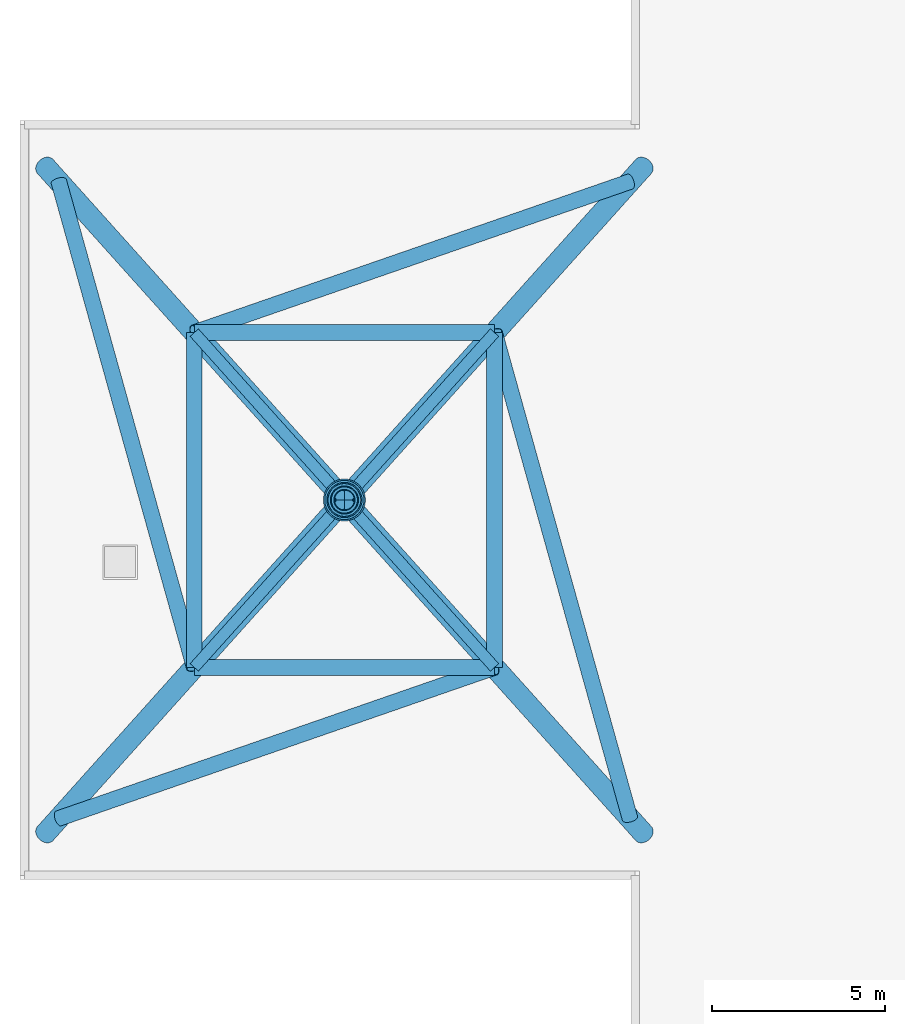
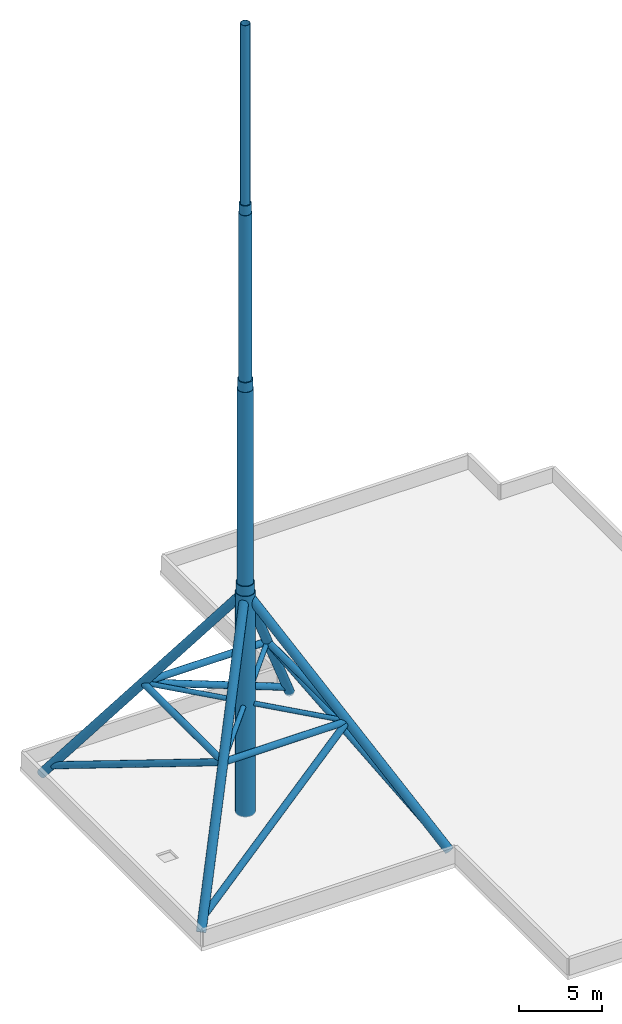
# One storey, part 1 of 3: 23 members.
"""IFC4 building model written with IfcOpenShell, lengths in metres."""

from ifc_helpers import new_model, si_unit, direction, frame, origin, origin_2d, place, context, subcontext, project, spatial, hollow_circle, extrude, material, material_profile, profile_set, type_object, element, save


model = new_model("IFC4")

# Units and contexts
model_context = context("Model", 3, precision=1e-05, world=origin(), true_north=direction((0.0, 1.0)))
body_context = subcontext(model_context, "Body", "Model", "MODEL_VIEW")
ifc_project = project(units=[si_unit("LENGTHUNIT", "METRE"), si_unit("AREAUNIT", "SQUARE_METRE"), si_unit("VOLUMEUNIT", "CUBIC_METRE"), si_unit("PLANEANGLEUNIT", "RADIAN"), si_unit("MASSUNIT", "GRAM", prefix="KILO")], contexts=[model_context])

# Site, building, storey
site_placement = place(None, origin())
site = spatial("IfcSite", under=ifc_project, at=site_placement, CompositionType="ELEMENT")
building_placement = place(site_placement, origin())
building = spatial("IfcBuilding", under=site, at=building_placement, Name="Cleftline Residences", CompositionType="ELEMENT")
storey_placement = place(building_placement, frame((0.0, 0.0, 301.60009765625)))
storey = spatial("IfcBuildingStorey", under=building, at=storey_placement, Name="ROOF", CompositionType="ELEMENT", Elevation=301.60009765625)

# Members
ifc_material_1 = material(Name="Steel S355", Category="steel")
ifc_material_profile_1 = material_profile(ifc_material_1, hollow_circle(Radius=0.228515625, WallThickness=0.01611328125, at=origin_2d()))
ifc_profile_set_1 = profile_set([ifc_material_profile_1], Name="Steel S355")
member_type_1 = type_object("IfcMemberType", Name="SPIRE BRACE CHS 457.0X16.0", PredefinedType="USERDEFINED", material=ifc_profile_set_1)
member_1_placement = place(storey_placement, frame((24.724365234375, 14.773193359375, 0.7998046875), z_axis=(0.826559657746, 0.286526829439, 0.484460017131), x_axis=(-0.327529080066, 0.944841098657, 0.0)))
element("IfcMember", 1, at=member_1_placement, inside=storey, type_object=member_type_1, Name="Spire bracing", ObjectType="SPIRE", PredefinedType="USERDEFINED", context=body_context, shape_type="SweptSolid", body=[
    extrude(hollow_circle(Radius=0.228515625, WallThickness=0.01611328125, at=origin_2d()), origin(), (0.0, 0.0, 1.0), 15.275146484375),
])
member_2_placement = place(storey_placement, frame((41.275634765625, 14.773193359375, 0.7998046875), z_axis=(-0.239642292235, 0.859352878162, 0.451756795816), x_axis=(-0.96324768403, -0.268614778465, 0.0)))
element("IfcMember", 2, at=member_2_placement, inside=storey, type_object=member_type_1, Name="Spire bracing", ObjectType="SPIRE", PredefinedType="USERDEFINED", context=body_context, shape_type="SweptSolid", body=[
    extrude(hollow_circle(Radius=0.228515625, WallThickness=0.01611328125, at=origin_2d()), origin(), (0.0, 0.0, 1.0), 16.380859375),
])
member_3_placement = place(storey_placement, frame((41.275634765625, 33.226806640625, 0.7998046875), z_axis=(-0.826559657746, -0.286526829439, 0.484460017131), x_axis=(0.327529080066, -0.944841098657, 0.0)))
element("IfcMember", 3, at=member_3_placement, inside=storey, type_object=member_type_1, Name="Spire bracing", ObjectType="SPIRE", PredefinedType="USERDEFINED", context=body_context, shape_type="SweptSolid", body=[
    extrude(hollow_circle(Radius=0.228515625, WallThickness=0.01611328125, at=origin_2d()), origin(), (0.0, 0.0, 1.0), 15.275146484375),
])
member_4_placement = place(storey_placement, frame((24.724365234375, 33.226806640625, 0.7998046875), z_axis=(0.239642292235, -0.859352878162, 0.451756795816), x_axis=(0.96324768403, 0.268614778465, 0.0)))
element("IfcMember", 4, at=member_4_placement, inside=storey, type_object=member_type_1, Name="Spire bracing", ObjectType="SPIRE", PredefinedType="USERDEFINED", context=body_context, shape_type="SweptSolid", body=[
    extrude(hollow_circle(Radius=0.228515625, WallThickness=0.01611328125, at=origin_2d()), origin(), (0.0, 0.0, 1.0), 16.380859375),
])
ifc_material_2 = material(Name="Steel S355", Category="steel")
ifc_material_profile_2 = material_profile(ifc_material_2, hollow_circle(Radius=0.304931640625, WallThickness=0.02001953125, at=origin_2d()))
ifc_profile_set_2 = profile_set([ifc_material_profile_2], Name="Steel S355")
member_type_2 = type_object("IfcMemberType", Name="SPIRE LEG CHS 610.0X20.0", PredefinedType="USERDEFINED", material=ifc_profile_set_2)
for number, where, z_axis, x_axis, name in (
    (5, (24.331787109375, 14.33544921875, 0.059814453125), (0.415351306725, 0.463092432841, 0.782961487334), (-0.744437601136, 0.667692038305, 0.0), "Spire leg"),
    (6, (41.668212890625, 14.33544921875, 0.059814453125), (-0.415351306725, 0.463092432841, 0.782961487334), (-0.744437601136, -0.667692038305, 0.0), "Spire leg"),
    (7, (24.331787109375, 33.66455078125, 0.059814453125), (0.415351306725, -0.463092432841, 0.782961487334), (0.744437601136, 0.667692038305, 0.0), "Spire leg"),
    (8, (41.668212890625, 33.66455078125, 0.059814453125), (-0.415351306725, -0.463092432841, 0.782961487334), (0.744437601136, -0.667692038305, 0.0), "Spire leg"),
):
    element("IfcMember", number, at=place(storey_placement, frame(where, z_axis=z_axis, x_axis=x_axis)), inside=storey, type_object=member_type_2, Name=name, ObjectType="SPIRE", PredefinedType="USERDEFINED", context=body_context, shape_type="SweptSolid", body=[
        extrude(hollow_circle(Radius=0.304931640625, WallThickness=0.02001953125, at=origin_2d()), origin(), (0.0, 0.0, 1.0), 20.86962890625),
    ])
ifc_material_3 = material(Name="Steel S355", Category="steel")
ifc_material_profile_3 = material_profile(ifc_material_3, hollow_circle(Radius=0.508056640625, WallThickness=0.031982421875, at=origin_2d()))
ifc_profile_set_3 = profile_set([ifc_material_profile_3], Name="Steel S355")
member_type_3 = type_object("IfcMemberType", Name="SPIRE MAST CHS 1016.0X32.0", PredefinedType="USERDEFINED", material=ifc_profile_set_3)
member_5_placement = place(storey_placement, frame((33.0, 24.0, 16.39990234375), z_axis=(0.0, 0.0, 1.0), x_axis=(1.0, 0.0, 0.0)))
element("IfcMember", 9, at=member_5_placement, inside=storey, type_object=member_type_3, Name="Spire mast", ObjectType="SPIRE", PredefinedType="USERDEFINED", context=body_context, shape_type="SweptSolid", body=[
    extrude(hollow_circle(Radius=0.508056640625, WallThickness=0.031982421875, at=origin_2d()), origin(), (0.0, 0.0, 1.0), 15.0),
])
ifc_material_4 = material(Name="Steel S355", Category="steel")
ifc_material_profile_4 = material_profile(ifc_material_4, hollow_circle(Radius=0.609619140625, WallThickness=0.0400390625, at=origin_2d()))
ifc_profile_set_4 = profile_set([ifc_material_profile_4], Name="Steel S355")
member_type_4 = type_object("IfcMemberType", Name="SPIRE MAST CHS 1219.0X40.0", PredefinedType="USERDEFINED", material=ifc_profile_set_4)
member_6_placement = place(storey_placement, frame((33.0, 24.0, 0.079833984375), z_axis=(0.0, 0.0, 1.0), x_axis=(1.0, 0.0, 0.0)))
element("IfcMember", 10, at=member_6_placement, inside=storey, type_object=member_type_4, Name="Spire mast", ObjectType="SPIRE", PredefinedType="USERDEFINED", context=body_context, shape_type="SweptSolid", body=[
    extrude(hollow_circle(Radius=0.609619140625, WallThickness=0.0400390625, at=origin_2d()), origin(), (0.0, 0.0, 1.0), 16.320068359375),
])
ifc_material_5 = material(Name="Steel S355", Category="steel")
ifc_material_profile_5 = material_profile(ifc_material_5, hollow_circle(Radius=0.304931640625, WallThickness=0.02001953125, at=origin_2d()))
ifc_profile_set_5 = profile_set([ifc_material_profile_5], Name="Steel S355")
member_type_5 = type_object("IfcMemberType", Name="SPIRE MAST CHS 610.0X20.0", PredefinedType="USERDEFINED", material=ifc_profile_set_5)
member_7_placement = place(storey_placement, frame((33.0, 24.0, 44.39990234375), z_axis=(0.0, 0.0, 1.0), x_axis=(1.0, 0.0, 0.0)))
element("IfcMember", 11, at=member_7_placement, inside=storey, type_object=member_type_5, Name="Spire mast", ObjectType="SPIRE", PredefinedType="USERDEFINED", context=body_context, shape_type="SweptSolid", body=[
    extrude(hollow_circle(Radius=0.304931640625, WallThickness=0.02001953125, at=origin_2d()), origin(), (0.0, 0.0, 1.0), 13.97998046875),
])
ifc_material_6 = material(Name="Steel S355", Category="steel")
ifc_material_profile_6 = material_profile(ifc_material_6, hollow_circle(Radius=0.406494140625, WallThickness=0.02490234375, at=origin_2d()))
ifc_profile_set_6 = profile_set([ifc_material_profile_6], Name="Steel S355")
member_type_6 = type_object("IfcMemberType", Name="SPIRE MAST CHS 813.0X25.0", PredefinedType="USERDEFINED", material=ifc_profile_set_6)
member_8_placement = place(storey_placement, frame((33.0, 24.0, 31.39990234375), z_axis=(0.0, 0.0, 1.0), x_axis=(1.0, 0.0, 0.0)))
element("IfcMember", 12, at=member_8_placement, inside=storey, type_object=member_type_6, Name="Spire mast", ObjectType="SPIRE", PredefinedType="USERDEFINED", context=body_context, shape_type="SweptSolid", body=[
    extrude(hollow_circle(Radius=0.406494140625, WallThickness=0.02490234375, at=origin_2d()), origin(), (0.0, 0.0, 1.0), 13.0),
])
ifc_material_7 = material(Name="Steel S355", Category="steel")
ifc_material_profile_7 = material_profile(ifc_material_7, hollow_circle(Radius=0.228515625, WallThickness=0.01611328125, at=origin_2d()))
ifc_profile_set_7 = profile_set([ifc_material_profile_7], Name="Steel S355")
member_type_7 = type_object("IfcMemberType", Name="SPIRE RING CHS 457.0X16.0", PredefinedType="USERDEFINED", material=ifc_profile_set_7)
member_9_placement = place(storey_placement, frame((28.64990234375, 19.14990234375, 8.199951171875), z_axis=(1.0, 0.0, 0.0), x_axis=(0.0, 1.0, 0.0)))
element("IfcMember", 13, at=member_9_placement, inside=storey, type_object=member_type_7, Name="Spire ring", ObjectType="SPIRE", PredefinedType="USERDEFINED", context=body_context, shape_type="SweptSolid", body=[
    extrude(hollow_circle(Radius=0.228515625, WallThickness=0.01611328125, at=origin_2d()), origin(), (0.0, 0.0, 1.0), 8.7001953125),
])
member_10_placement = place(storey_placement, frame((37.35009765625, 19.14990234375, 8.199951171875), z_axis=(0.0, 1.0, 0.0), x_axis=(-1.0, 0.0, 0.0)))
element("IfcMember", 14, at=member_10_placement, inside=storey, type_object=member_type_7, Name="Spire ring", ObjectType="SPIRE", PredefinedType="USERDEFINED", context=body_context, shape_type="SweptSolid", body=[
    extrude(hollow_circle(Radius=0.228515625, WallThickness=0.01611328125, at=origin_2d()), origin(), (0.0, 0.0, 1.0), 9.7001953125),
])
member_11_placement = place(storey_placement, frame((37.35009765625, 28.85009765625, 8.199951171875), z_axis=(-1.0, 0.0, 0.0), x_axis=(0.0, -1.0, 0.0)))
element("IfcMember", 15, at=member_11_placement, inside=storey, type_object=member_type_7, Name="Spire ring", ObjectType="SPIRE", PredefinedType="USERDEFINED", context=body_context, shape_type="SweptSolid", body=[
    extrude(hollow_circle(Radius=0.228515625, WallThickness=0.01611328125, at=origin_2d()), origin(), (0.0, 0.0, 1.0), 8.7001953125),
])
member_12_placement = place(storey_placement, frame((28.64990234375, 28.85009765625, 8.199951171875), z_axis=(0.0, -1.0, 0.0), x_axis=(1.0, 0.0, 0.0)))
element("IfcMember", 16, at=member_12_placement, inside=storey, type_object=member_type_7, Name="Spire ring", ObjectType="SPIRE", PredefinedType="USERDEFINED", context=body_context, shape_type="SweptSolid", body=[
    extrude(hollow_circle(Radius=0.228515625, WallThickness=0.01611328125, at=origin_2d()), origin(), (0.0, 0.0, 1.0), 9.7001953125),
])
ifc_material_8 = material(Name="Steel S355", Category="steel")
ifc_material_profile_8 = material_profile(ifc_material_8, hollow_circle(Radius=0.56640625, WallThickness=0.055419921875, at=origin_2d()))
ifc_profile_set_8 = profile_set([ifc_material_profile_8], Name="Steel S355")
member_type_8 = type_object("IfcMemberType", Name="SPIRE SLEEVE CHS 1133.0X55.5", PredefinedType="USERDEFINED", material=ifc_profile_set_8)
member_13_placement = place(storey_placement, frame((33.0, 24.0, 14.699951171875), z_axis=(0.0, 0.0, 1.0), x_axis=(1.0, 0.0, 0.0)))
element("IfcMember", 17, at=member_13_placement, inside=storey, type_object=member_type_8, Name="Spire splice sleeve", ObjectType="SPIRE", PredefinedType="USERDEFINED", context=body_context, shape_type="SweptSolid", body=[
    extrude(hollow_circle(Radius=0.56640625, WallThickness=0.055419921875, at=origin_2d()), origin(), (0.0, 0.0, 1.0), 2.39990234375),
])
ifc_material_9 = material(Name="Steel S355", Category="steel")
ifc_material_profile_9 = material_profile(ifc_material_9, hollow_circle(Radius=0.37841796875, WallThickness=0.070556640625, at=origin_2d()))
ifc_profile_set_9 = profile_set([ifc_material_profile_9], Name="Steel S355")
member_type_9 = type_object("IfcMemberType", Name="SPIRE SLEEVE CHS 757.0X70.5", PredefinedType="USERDEFINED", material=ifc_profile_set_9)
member_14_placement = place(storey_placement, frame((33.0, 24.0, 42.699951171875), z_axis=(0.0, 0.0, 1.0), x_axis=(1.0, 0.0, 0.0)))
element("IfcMember", 18, at=member_14_placement, inside=storey, type_object=member_type_9, Name="Spire splice sleeve", ObjectType="SPIRE", PredefinedType="USERDEFINED", context=body_context, shape_type="SweptSolid", body=[
    extrude(hollow_circle(Radius=0.37841796875, WallThickness=0.070556640625, at=origin_2d()), origin(), (0.0, 0.0, 1.0), 2.39990234375),
])
ifc_material_10 = material(Name="Steel S355", Category="steel")
ifc_material_profile_10 = material_profile(ifc_material_10, hollow_circle(Radius=0.472900390625, WallThickness=0.0634765625, at=origin_2d()))
ifc_profile_set_10 = profile_set([ifc_material_profile_10], Name="Steel S355")
member_type_10 = type_object("IfcMemberType", Name="SPIRE SLEEVE CHS 946.0X63.5", PredefinedType="USERDEFINED", material=ifc_profile_set_10)
member_15_placement = place(storey_placement, frame((33.0, 24.0, 29.699951171875), z_axis=(0.0, 0.0, 1.0), x_axis=(1.0, 0.0, 0.0)))
element("IfcMember", 19, at=member_15_placement, inside=storey, type_object=member_type_10, Name="Spire splice sleeve", ObjectType="SPIRE", PredefinedType="USERDEFINED", context=body_context, shape_type="SweptSolid", body=[
    extrude(hollow_circle(Radius=0.472900390625, WallThickness=0.0634765625, at=origin_2d()), origin(), (0.0, 0.0, 1.0), 2.39990234375),
])
ifc_material_11 = material(Name="Steel S355", Category="steel")
ifc_material_profile_11 = material_profile(ifc_material_11, hollow_circle(Radius=0.161865234375, WallThickness=0.012451171875, at=origin_2d()))
ifc_profile_set_11 = profile_set([ifc_material_profile_11], Name="Steel S355")
member_type_11 = type_object("IfcMemberType", Name="SPIRE STRUT CHS 323.9X12.5", PredefinedType="USERDEFINED", material=ifc_profile_set_11)
for number, where, z_axis, x_axis, name in (
    (20, (28.64990234375, 19.14990234375, 8.199951171875), (0.667692572352, 0.744437122144, 0.0), (-0.744437122144, 0.667692572352, 0.0), "Spire strut"),
    (21, (37.35009765625, 19.14990234375, 8.199951171875), (-0.667692572352, 0.744437122144, 0.0), (-0.744437122144, -0.667692572352, 0.0), "Spire strut"),
    (22, (37.35009765625, 28.85009765625, 8.199951171875), (-0.667692572352, -0.744437122144, 0.0), (0.744437122144, -0.667692572352, 0.0), "Spire strut"),
    (23, (28.64990234375, 28.85009765625, 8.199951171875), (0.667692572352, -0.744437122144, 0.0), (0.744437122144, 0.667692572352, 0.0), "Spire strut"),
):
    element("IfcMember", number, at=place(storey_placement, frame(where, z_axis=z_axis, x_axis=x_axis)), inside=storey, type_object=member_type_11, Name=name, ObjectType="SPIRE", PredefinedType="USERDEFINED", context=body_context, shape_type="SweptSolid", body=[
        extrude(hollow_circle(Radius=0.161865234375, WallThickness=0.012451171875, at=origin_2d()), origin(), (0.0, 0.0, 1.0), 6.51513671875),
    ])

save(model, "model.ifc")
